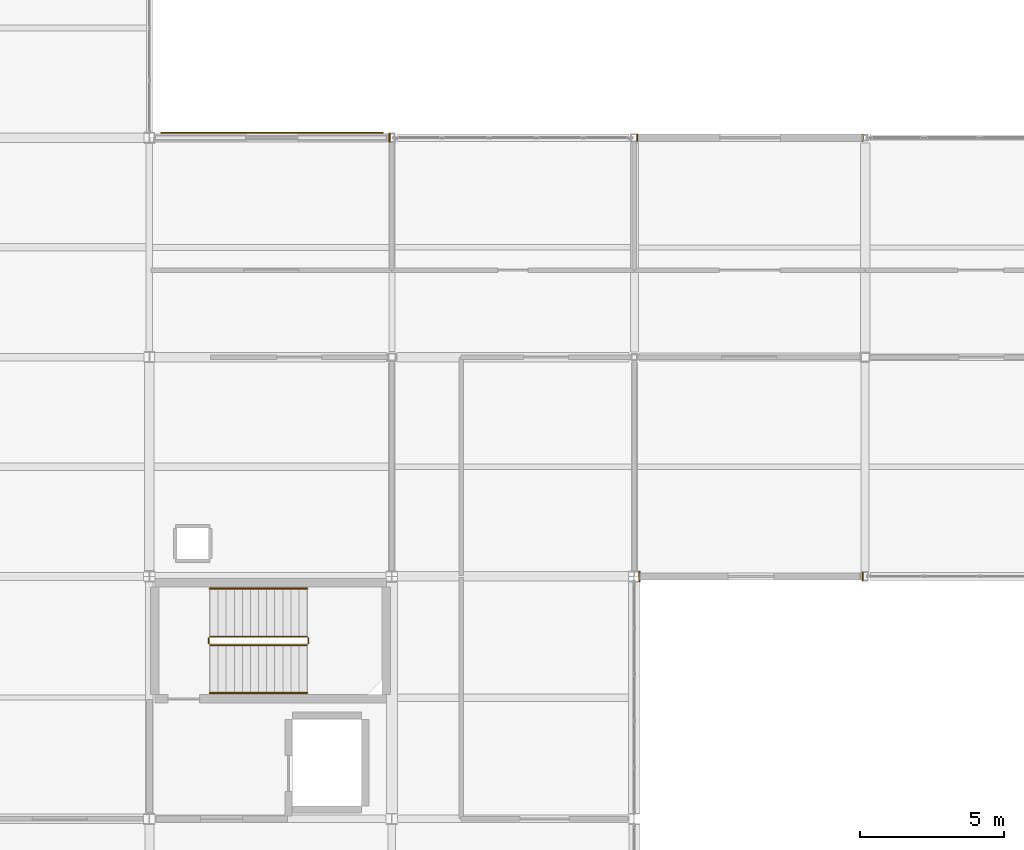
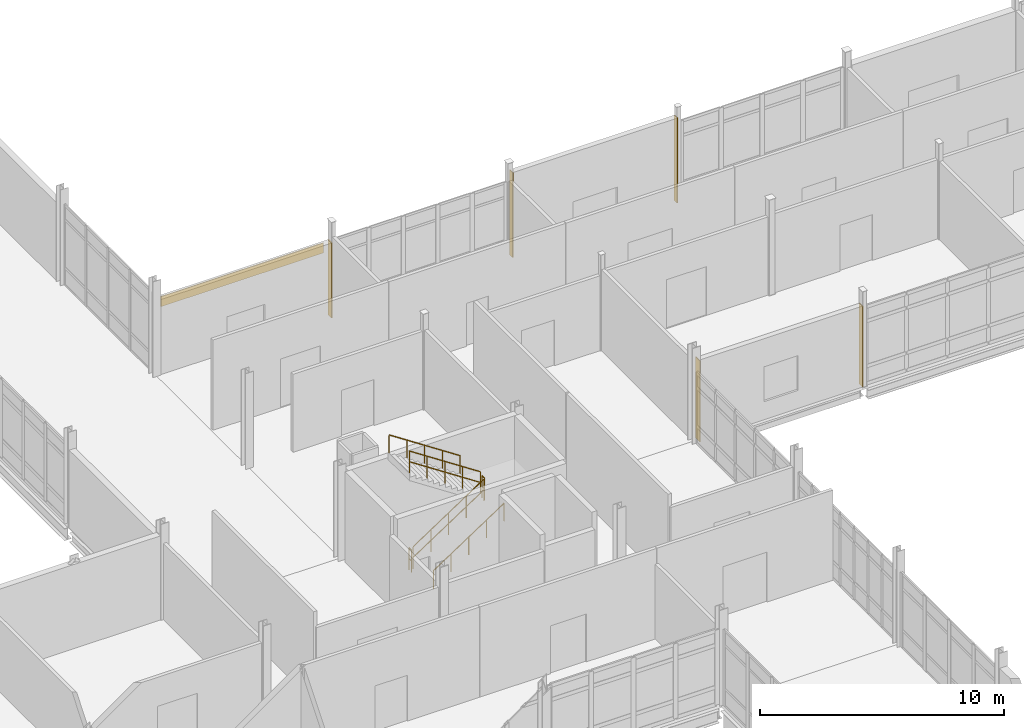
# One storey, part 175 of 186: 6 coverings, 6 railings.
"""IFC4 building model written with IfcOpenShell, lengths in metres."""

from ifc_helpers import new_model, si_unit, direction, frame, origin, origin_2d, place, context, subcontext, project, spatial, polyline, rectangle, circle, outline, extrude, material, layer, layer_set, type_object, element, save


model = new_model("IFC4")

# Units and contexts
model_context = context("Model", 3, precision=1e-05, world=origin(), true_north=direction((0.0, 1.0)))
body_context = subcontext(model_context, "Body", "Model", "MODEL_VIEW")
ifc_project = project(units=[si_unit("LENGTHUNIT", "METRE"), si_unit("AREAUNIT", "SQUARE_METRE"), si_unit("VOLUMEUNIT", "CUBIC_METRE"), si_unit("PLANEANGLEUNIT", "RADIAN"), si_unit("MASSUNIT", "GRAM", prefix="KILO")], contexts=[model_context])

# Site, building, storey
site_placement = place(None, origin())
site = spatial("IfcSite", under=ifc_project, at=site_placement, CompositionType="ELEMENT")
building_placement = place(site_placement, origin())
building = spatial("IfcBuilding", under=site, at=building_placement, Name="Calvrana Isthmian Art Gallery", CompositionType="ELEMENT")
storey_placement = place(building_placement, frame((0.0, 0.0, 5.39990234375)))
storey = spatial("IfcBuildingStorey", under=building, at=storey_placement, Name="L01", CompositionType="ELEMENT", Elevation=5.39990234375)

# Coverings
ifc_material_1 = material(Name="Polychrome glazed terracotta", Category="masonry")
ifc_layer = layer(ifc_material_1, 0.0400390625, Name="Polychrome glazed terracotta")
ifc_layer_set = layer_set([ifc_layer], Name="Polychrome glazed terracotta")
covering_type = type_object("IfcCoveringType", Name="COV-CLAD-TERRA", PredefinedType="CLADDING", material=ifc_layer_set)
covering_1_placement = place(storey_placement, origin())
element("IfcCovering", 1, at=covering_1_placement, inside=storey, type_object=covering_type, Name="Column pocket weather closure L01-10-06-W", PredefinedType="CLADDING", context=body_context, shape_type="SweptSolid", body=[
    extrude(outline(polyline([(80.55810546875, 46.614501953125), (80.597900390625, 46.614501953125), (80.597900390625, 46.985595703125), (80.55810546875, 46.985595703125), (80.55810546875, 46.614501953125)])), origin(), (0.0, 0.0, 1.0), 4.05810546875),
])
covering_2_placement = place(storey_placement, origin())
element("IfcCovering", 2, at=covering_2_placement, inside=storey, type_object=covering_type, Name="Column pocket weather closure L01-10-06-E", PredefinedType="CLADDING", context=body_context, shape_type="SweptSolid", body=[
    extrude(outline(polyline([(88.29833984375, 46.652587890625), (88.33837890625, 46.652587890625), (88.33837890625, 46.947509765625), (88.29833984375, 46.947509765625), (88.29833984375, 46.652587890625)])), origin(), (0.0, 0.0, 1.0), 4.05810546875),
])
covering_3_placement = place(storey_placement, origin())
element("IfcCovering", 3, at=covering_3_placement, inside=storey, type_object=covering_type, Name="Column pocket weather closure L01-08-08-E", PredefinedType="CLADDING", context=body_context, shape_type="SweptSolid", body=[
    extrude(outline(polyline([(71.8984375, 61.85009765625), (71.9384765625, 61.85009765625), (71.9384765625, 62.14990234375), (71.8984375, 62.14990234375), (71.8984375, 61.85009765625)])), origin(), (0.0, 0.0, 1.0), 3.758056640625),
])
covering_4_placement = place(storey_placement, frame((67.84228515625, 62.16796875, 3.158203125), z_axis=(0.0, 0.0, 1.0), x_axis=(1.0, 0.0, 0.0)))
element("IfcCovering", 4, at=covering_4_placement, inside=storey, type_object=covering_type, Name="Terracotta spandrel cladding 075", PredefinedType="CLADDING", context=body_context, shape_type="SweptSolid", body=[
    extrude(rectangle(XDim=7.7119140625, YDim=0.0400390625, at=origin_2d()), origin(), (0.0, 0.0, 1.0), 0.5),
])
covering_5_placement = place(storey_placement, origin())
element("IfcCovering", 5, at=covering_5_placement, inside=storey, type_object=covering_type, Name="Column pocket weather closure L01-10-08-W", PredefinedType="CLADDING", context=body_context, shape_type="SweptSolid", body=[
    extrude(outline(polyline([(80.487060546875, 61.875), (80.527099609375, 61.875), (80.527099609375, 62.125), (80.487060546875, 62.125), (80.487060546875, 61.875)])), origin(), (0.0, 0.0, 1.0), 4.26611328125),
])
covering_6_placement = place(storey_placement, origin())
element("IfcCovering", 6, at=covering_6_placement, inside=storey, type_object=covering_type, Name="Column pocket weather closure L01-10-08-E", PredefinedType="CLADDING", context=body_context, shape_type="SweptSolid", body=[
    extrude(outline(polyline([(88.29833984375, 61.875), (88.33837890625, 61.875), (88.33837890625, 62.125), (88.29833984375, 62.125), (88.29833984375, 61.875)])), origin(), (0.0, 0.0, 1.0), 4.26611328125),
])

# Railings
ifc_material_2 = material(Name="Stainless steel 316", Category="steel")
railing_type_1 = type_object("IfcRailingType", Name="RL-GUARD-1120", PredefinedType="BALUSTRADE", material=ifc_material_2)
railing_1_placement = place(storey_placement, frame((65.699951171875, 44.419921875, 0.184814453125)))
element("IfcRailing", 7, at=railing_1_placement, inside=storey, type_object=railing_type_1, Name="Stair ST-2 guard L01-1", PredefinedType="BALUSTRADE", context=body_context, shape_type="SweptSolid", body=[
    extrude(circle(Radius=0.02392578125, at=origin_2d()), frame((0.0, 0.0, 1.09619140625), z_axis=(0.834876476806, 0.0, 0.550437342915), x_axis=(0.0, 1.0, 0.0)), (0.0, 0.0, 1.0), 4.024658203125),
    extrude(circle(Radius=0.02392578125, at=origin_2d()), frame((0.0, 0.0, 0.56005859375), z_axis=(0.834876476806, 0.0, 0.550437342915), x_axis=(0.0, 1.0, 0.0)), (0.0, 0.0, 1.0), 4.024658203125),
    extrude(circle(Radius=0.02099609375, at=origin_2d()), origin(), (0.0, 0.0, 1.0), 1.072021484375),
    extrude(circle(Radius=0.02099609375, at=origin_2d()), frame((0.840087890625, 0.0, 0.5537109375)), (0.0, 0.0, 1.0), 1.072021484375),
    extrude(circle(Radius=0.02099609375, at=origin_2d()), frame((1.68017578125, 0.0, 1.107666015625)), (0.0, 0.0, 1.0), 1.072021484375),
    extrude(circle(Radius=0.02099609375, at=origin_2d()), frame((2.52001953125, 0.0, 1.66162109375)), (0.0, 0.0, 1.0), 1.072021484375),
    extrude(circle(Radius=0.02099609375, at=origin_2d()), frame((3.360107421875, 0.0, 2.21533203125)), (0.0, 0.0, 1.0), 1.072021484375),
])
railing_2_placement = place(storey_placement, frame((69.110107421875, 44.469970703125, 2.400146484375)))
element("IfcRailing", 8, at=railing_2_placement, inside=storey, type_object=railing_type_1, Name="Stair ST-2 guard L01-2", PredefinedType="BALUSTRADE", context=body_context, shape_type="SweptSolid", body=[
    extrude(circle(Radius=0.02392578125, at=origin_2d()), frame((0.0, 0.0, 1.09619140625), z_axis=(0.0, 1.0, 0.0), x_axis=(-1.0, 0.0, 0.0)), (0.0, 0.0, 1.0), 0.199951171875),
    extrude(circle(Radius=0.02392578125, at=origin_2d()), frame((0.0, 0.0, 0.56005859375), z_axis=(0.0, 1.0, 0.0), x_axis=(-1.0, 0.0, 0.0)), (0.0, 0.0, 1.0), 0.199951171875),
    extrude(circle(Radius=0.02099609375, at=origin_2d()), origin(), (0.0, 0.0, 1.0), 1.072021484375),
    extrude(circle(Radius=0.02099609375, at=origin_2d()), frame((0.0, 0.199951171875, 0.0)), (0.0, 0.0, 1.0), 1.072021484375),
])
railing_3_placement = place(storey_placement, frame((69.06005859375, 44.719970703125, 2.584716796875)))
element("IfcRailing", 9, at=railing_3_placement, inside=storey, type_object=railing_type_1, Name="Stair ST-2 guard L01-3", PredefinedType="BALUSTRADE", context=body_context, shape_type="SweptSolid", body=[
    extrude(circle(Radius=0.02392578125, at=origin_2d()), frame((0.0, 0.0, 1.09619140625), z_axis=(-0.834876476806, 0.0, 0.550437342915), x_axis=(0.0, -1.0, 0.0)), (0.0, 0.0, 1.0), 4.024658203125),
    extrude(circle(Radius=0.02392578125, at=origin_2d()), frame((0.0, 0.0, 0.56005859375), z_axis=(-0.834876476806, 0.0, 0.550437342915), x_axis=(0.0, -1.0, 0.0)), (0.0, 0.0, 1.0), 4.024658203125),
    extrude(circle(Radius=0.02099609375, at=origin_2d()), origin(), (0.0, 0.0, 1.0), 1.072021484375),
    extrude(circle(Radius=0.02099609375, at=origin_2d()), frame((-0.840087890625, 0.0, 0.5537109375)), (0.0, 0.0, 1.0), 1.072021484375),
    extrude(circle(Radius=0.02099609375, at=origin_2d()), frame((-1.68017578125, 0.0, 1.107666015625)), (0.0, 0.0, 1.0), 1.072021484375),
    extrude(circle(Radius=0.02099609375, at=origin_2d()), frame((-2.52001953125, 0.0, 1.66162109375)), (0.0, 0.0, 1.0), 1.072021484375),
    extrude(circle(Radius=0.02099609375, at=origin_2d()), frame((-3.360107421875, 0.0, 2.21533203125)), (0.0, 0.0, 1.0), 1.072021484375),
])
railing_4_placement = place(storey_placement, frame((65.64990234375, 44.469970703125, 0.0)))
element("IfcRailing", 10, at=railing_4_placement, inside=storey, type_object=railing_type_1, Name="Stair ST-2 guard L01-4", PredefinedType="BALUSTRADE", context=body_context, shape_type="SweptSolid", body=[
    extrude(circle(Radius=0.02392578125, at=origin_2d()), frame((0.0, 0.0, 1.09619140625), z_axis=(0.0, 1.0, 0.0), x_axis=(-1.0, 0.0, 0.0)), (0.0, 0.0, 1.0), 0.199951171875),
    extrude(circle(Radius=0.02392578125, at=origin_2d()), frame((0.0, 0.0, 0.56005859375), z_axis=(0.0, 1.0, 0.0), x_axis=(-1.0, 0.0, 0.0)), (0.0, 0.0, 1.0), 0.199951171875),
    extrude(circle(Radius=0.02099609375, at=origin_2d()), origin(), (0.0, 0.0, 1.0), 1.072021484375),
    extrude(circle(Radius=0.02099609375, at=origin_2d()), frame((0.0, 0.199951171875, 0.0)), (0.0, 0.0, 1.0), 1.072021484375),
])
railing_type_2 = type_object("IfcRailingType", Name="RL-HAND-920", PredefinedType="HANDRAIL", material=ifc_material_2)
railing_5_placement = place(storey_placement, frame((65.699951171875, 42.760009765625, 0.184814453125)))
element("IfcRailing", 11, at=railing_5_placement, inside=storey, type_object=railing_type_2, Name="Stair ST-2 handrail L01-1", PredefinedType="HANDRAIL", context=body_context, shape_type="SweptSolid", body=[
    extrude(circle(Radius=0.02392578125, at=origin_2d()), frame((0.0, 0.0, 0.89599609375), z_axis=(0.834876476806, 0.0, 0.550437342915), x_axis=(0.0, 1.0, 0.0)), (0.0, 0.0, 1.0), 4.024658203125),
    extrude(circle(Radius=0.02099609375, at=origin_2d()), origin(), (0.0, 0.0, 1.0), 0.871826171875),
    extrude(circle(Radius=0.02099609375, at=origin_2d()), frame((0.840087890625, 0.0, 0.5537109375)), (0.0, 0.0, 1.0), 0.871826171875),
    extrude(circle(Radius=0.02099609375, at=origin_2d()), frame((1.68017578125, 0.0, 1.107666015625)), (0.0, 0.0, 1.0), 0.871826171875),
    extrude(circle(Radius=0.02099609375, at=origin_2d()), frame((2.52001953125, 0.0, 1.66162109375)), (0.0, 0.0, 1.0), 0.871826171875),
    extrude(circle(Radius=0.02099609375, at=origin_2d()), frame((3.360107421875, 0.0, 2.21533203125)), (0.0, 0.0, 1.0), 0.871826171875),
])
railing_6_placement = place(storey_placement, frame((69.06005859375, 46.3798828125, 2.584716796875)))
element("IfcRailing", 12, at=railing_6_placement, inside=storey, type_object=railing_type_2, Name="Stair ST-2 handrail L01-2", PredefinedType="HANDRAIL", context=body_context, shape_type="SweptSolid", body=[
    extrude(circle(Radius=0.02392578125, at=origin_2d()), frame((0.0, 0.0, 0.89599609375), z_axis=(-0.834876476806, 0.0, 0.550437342915), x_axis=(0.0, -1.0, 0.0)), (0.0, 0.0, 1.0), 4.024658203125),
    extrude(circle(Radius=0.02099609375, at=origin_2d()), origin(), (0.0, 0.0, 1.0), 0.871826171875),
    extrude(circle(Radius=0.02099609375, at=origin_2d()), frame((-0.840087890625, 0.0, 0.5537109375)), (0.0, 0.0, 1.0), 0.871826171875),
    extrude(circle(Radius=0.02099609375, at=origin_2d()), frame((-1.68017578125, 0.0, 1.107666015625)), (0.0, 0.0, 1.0), 0.871826171875),
    extrude(circle(Radius=0.02099609375, at=origin_2d()), frame((-2.52001953125, 0.0, 1.66162109375)), (0.0, 0.0, 1.0), 0.871826171875),
    extrude(circle(Radius=0.02099609375, at=origin_2d()), frame((-3.360107421875, 0.0, 2.21533203125)), (0.0, 0.0, 1.0), 0.871826171875),
])

save(model, "model.ifc")
